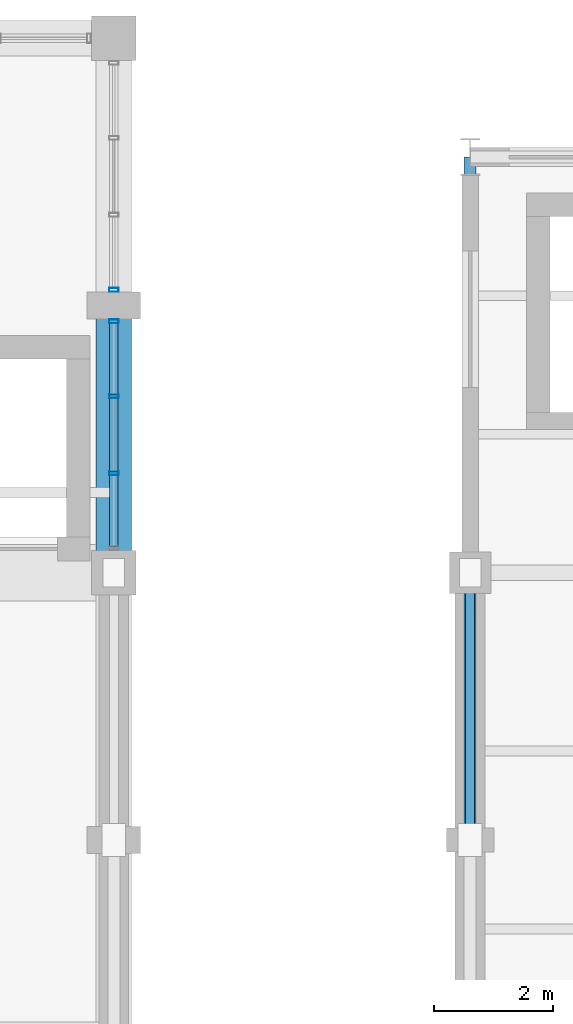
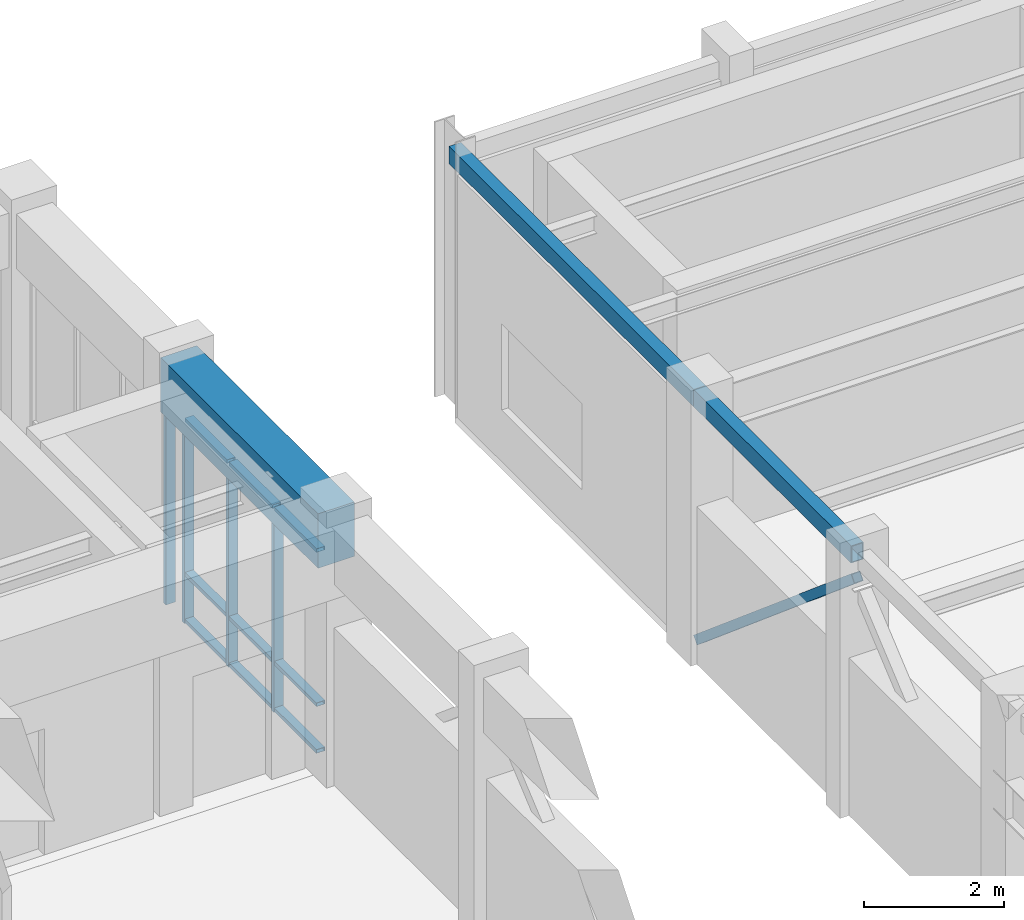
# One storey, part 60 of 99: 14 members, 3 beams, 2 elements without a shape of their own.
"""IFC4 building model written with IfcOpenShell, lengths in metres."""

from ifc_helpers import new_model, si_unit, direction, frame, origin, origin_2d, place, context, subcontext, project, spatial, rectangle, hollow_rectangle, extrude, material, layer, layer_set, material_profile, profile_set, type_object, element, aggregate, save


model = new_model("IFC4")

# Units and contexts
model_context = context("Model", 3, precision=1e-05, world=origin(), true_north=direction((0.0, 1.0)))
body_context = subcontext(model_context, "Body", "Model", "MODEL_VIEW")
ifc_project = project(units=[si_unit("LENGTHUNIT", "METRE"), si_unit("AREAUNIT", "SQUARE_METRE"), si_unit("VOLUMEUNIT", "CUBIC_METRE"), si_unit("PLANEANGLEUNIT", "RADIAN"), si_unit("MASSUNIT", "GRAM", prefix="KILO")], contexts=[model_context])

# Site, building, storey
site_placement = place(None, origin())
site = spatial("IfcSite", under=ifc_project, at=site_placement, CompositionType="ELEMENT")
building_placement = place(site_placement, origin())
building = spatial("IfcBuilding", under=site, at=building_placement, Name="Ventoquebrada Cableway Terminal", CompositionType="ELEMENT")
storey_placement = place(building_placement, frame((0.0, 0.0, 9.60009765625)))
storey = spatial("IfcBuildingStorey", under=building, at=storey_placement, Name="L02", CompositionType="ELEMENT", Elevation=9.60009765625)

# Beam
ifc_material_1 = material(Name="Concrete C40/50", Category="concrete")
ifc_material_profile_1 = material_profile(ifc_material_1, rectangle(XDim=0.60009765625, YDim=0.949951171875, at=origin_2d()), Name="RC-BM-600X950")
ifc_profile_set_1 = profile_set([ifc_material_profile_1], Name="Concrete C40/50")
beam_type_1 = type_object("IfcBeamType", Name="BM-RC05", PredefinedType="BEAM", material=ifc_profile_set_1)
beam_1_placement = place(storey_placement, frame((123.0, 95.0, 4.054931640625), z_axis=(0.0, 1.0, 0.0), x_axis=(-1.0, 0.0, 0.0)))
element("IfcBeam", 1, at=beam_1_placement, inside=storey, type_object=beam_type_1, Name="Perimeter spandrel beam FBM-0699", PredefinedType="BEAM", context=body_context, shape_type="SweptSolid", body=[
    extrude(rectangle(XDim=0.60009765625, YDim=0.949951171875, at=origin_2d()), origin(), (0.0, 0.0, 1.0), 4.5),
])

# Member
ifc_material_2 = material(Name="Steel ASTM A500 Grade C", Category="steel")
ifc_material_profile_2 = material_profile(ifc_material_2, hollow_rectangle(XDim=0.14990234375, YDim=0.14990234375, WallThickness=0.008056640625, at=origin_2d()), Name="HSS150X150X8")
ifc_profile_set_2 = profile_set([ifc_material_profile_2], Name="Steel ASTM A500 Grade C")
member_type_1 = type_object("IfcMemberType", Name="BRC-FR02", PredefinedType="BRACE", material=ifc_profile_set_2)
member_1_placement = place(storey_placement, frame((129.0, 95.0, 0.14990234375), z_axis=(0.0, -0.764025829276, 0.645185657155), x_axis=(1.0, 0.0, 0.0)))
element("IfcMember", 2, at=member_1_placement, inside=storey, type_object=member_type_1, Name="Concentric lateral chevron brace BR-0532", PredefinedType="BRACE", context=body_context, shape_type="SweptSolid", body=[
    extrude(hollow_rectangle(XDim=0.14990234375, YDim=0.14990234375, WallThickness=0.008056640625, at=origin_2d()), origin(), (0.0, 0.0, 1.0), 5.889892578125),
])

# Curtain wall, members
ifc_material_3 = material(Name="Anodized thermally-broken aluminium", Category="aluminium")
ifc_layer = layer(ifc_material_3, 0.159912109375)
ifc_layer_set = layer_set([ifc_layer], Name="Anodized thermally-broken aluminium")
curtain_wall_type = type_object("IfcCurtainWallType", Name="CW-T28", PredefinedType="USERDEFINED", material=ifc_layer_set)
curtain_wall_1_placement = place(storey_placement, origin())
curtain_wall_1 = element("IfcCurtainWall", 3, at=curtain_wall_1_placement, inside=storey, type_object=curtain_wall_type, Name="Unitised glazed curtain wall CW-067", ObjectType="UNITISED CURTAIN WALL", PredefinedType="USERDEFINED")
ifc_material_profile_3 = material_profile(ifc_material_3, hollow_rectangle(XDim=0.06494140625, YDim=0.159912109375, WallThickness=0.00390625, at=origin_2d()), Name="CW-MUL-65X160")
ifc_profile_set_3 = profile_set([ifc_material_profile_3], Name="Anodized thermally-broken aluminium")
member_type_2 = type_object("IfcMemberType", Name="CWM-01", PredefinedType="MULLION", material=ifc_profile_set_3)
member_2_placement = place(storey_placement, frame((123.0, 96.677001953125, -0.008056640625), z_axis=(0.0, 0.0, 1.0), x_axis=(0.0, 1.0, 0.0)))
member_2 = element("IfcMember", 4, at=member_2_placement, type_object=member_type_2, Name="Curtain wall mullion FML-0313", PredefinedType="MULLION", context=body_context, shape_type="SweptSolid", body=[
    extrude(hollow_rectangle(XDim=0.06494140625, YDim=0.159912109375, WallThickness=0.00390625, at=origin_2d()), origin(), (0.0, 0.0, 1.0), 3.587890625),
])
member_3_placement = place(storey_placement, frame((123.0, 97.972900390625, -0.008056640625), z_axis=(0.0, 0.0, 1.0), x_axis=(0.0, 1.0, 0.0)))
member_3 = element("IfcMember", 5, at=member_3_placement, type_object=member_type_2, Name="Curtain wall mullion FML-0314", PredefinedType="MULLION", context=body_context, shape_type="SweptSolid", body=[
    extrude(hollow_rectangle(XDim=0.06494140625, YDim=0.159912109375, WallThickness=0.00390625, at=origin_2d()), origin(), (0.0, 0.0, 1.0), 3.587890625),
])
member_4_placement = place(storey_placement, frame((123.0, 99.235107421875, -0.008056640625), z_axis=(0.0, 0.0, 1.0), x_axis=(0.0, 1.0, 0.0)))
member_4 = element("IfcMember", 6, at=member_4_placement, type_object=member_type_2, Name="Curtain wall mullion FML-0315", PredefinedType="MULLION", context=body_context, shape_type="SweptSolid", body=[
    extrude(hollow_rectangle(XDim=0.06494140625, YDim=0.159912109375, WallThickness=0.00390625, at=origin_2d()), origin(), (0.0, 0.0, 1.0), 3.587890625),
])

# Curtain wall, member
curtain_wall_2_placement = place(storey_placement, origin())
curtain_wall_2 = element("IfcCurtainWall", 7, at=curtain_wall_2_placement, inside=storey, type_object=curtain_wall_type, Name="Unitised glazed curtain wall CW-068", ObjectType="UNITISED CURTAIN WALL", PredefinedType="USERDEFINED")
member_5_placement = place(storey_placement, frame((123.0, 99.764892578125, -0.008056640625), z_axis=(0.0, 0.0, 1.0), x_axis=(0.0, 1.0, 0.0)))
member_5 = element("IfcMember", 8, at=member_5_placement, type_object=member_type_2, Name="Curtain wall mullion FML-0316", PredefinedType="MULLION", context=body_context, shape_type="SweptSolid", body=[
    extrude(hollow_rectangle(XDim=0.06494140625, YDim=0.159912109375, WallThickness=0.00390625, at=origin_2d()), origin(), (0.0, 0.0, 1.0), 3.587890625),
])
aggregate(curtain_wall_2, [member_5])

# Member
ifc_material_profile_4 = material_profile(ifc_material_3, hollow_rectangle(XDim=0.06494140625, YDim=0.139892578125, WallThickness=0.00390625, at=origin_2d()), Name="CW-TRN-65X140")
ifc_profile_set_4 = profile_set([ifc_material_profile_4], Name="Anodized thermally-broken aluminium")
member_type_3 = type_object("IfcMemberType", Name="CWT-01", PredefinedType="USERDEFINED", material=ifc_profile_set_4)
member_6_placement = place(storey_placement, frame((123.0, 95.44189453125, 0.034912109375), z_axis=(0.0, 1.0, 0.0), x_axis=(0.0, 0.0, 1.0)))
member_6 = element("IfcMember", 9, at=member_6_placement, type_object=member_type_3, Name="Curtain wall transom FTR-0910", ObjectType="TRANSOM", PredefinedType="USERDEFINED", context=body_context, shape_type="SweptSolid", body=[
    extrude(hollow_rectangle(XDim=0.06494140625, YDim=0.139892578125, WallThickness=0.00390625, at=origin_2d()), origin(), (0.0, 0.0, 1.0), 1.20703125),
])

member_7_placement = place(storey_placement, frame((123.0, 95.44189453125, 0.849853515625), z_axis=(0.0, 1.0, 0.0), x_axis=(0.0, 0.0, 1.0)))
member_7 = element("IfcMember", 10, at=member_7_placement, type_object=member_type_3, Name="Curtain wall transom FTR-0911", ObjectType="TRANSOM", PredefinedType="USERDEFINED", context=body_context, shape_type="SweptSolid", body=[
    extrude(hollow_rectangle(XDim=0.06494140625, YDim=0.139892578125, WallThickness=0.00390625, at=origin_2d()), origin(), (0.0, 0.0, 1.0), 1.20703125),
])

member_8_placement = place(storey_placement, frame((123.0, 95.44189453125, 3.539794921875), z_axis=(0.0, 1.0, 0.0), x_axis=(0.0, 0.0, 1.0)))
member_8 = element("IfcMember", 11, at=member_8_placement, type_object=member_type_3, Name="Curtain wall transom FTR-0912", ObjectType="TRANSOM", PredefinedType="USERDEFINED", context=body_context, shape_type="SweptSolid", body=[
    extrude(hollow_rectangle(XDim=0.06494140625, YDim=0.139892578125, WallThickness=0.00390625, at=origin_2d()), origin(), (0.0, 0.0, 1.0), 1.20703125),
])

member_9_placement = place(storey_placement, frame((123.0, 96.7041015625, 0.034912109375), z_axis=(0.0, 1.0, 0.0), x_axis=(0.0, 0.0, 1.0)))
member_9 = element("IfcMember", 12, at=member_9_placement, type_object=member_type_3, Name="Curtain wall transom FTR-0913", ObjectType="TRANSOM", PredefinedType="USERDEFINED", context=body_context, shape_type="SweptSolid", body=[
    extrude(hollow_rectangle(XDim=0.06494140625, YDim=0.139892578125, WallThickness=0.00390625, at=origin_2d()), origin(), (0.0, 0.0, 1.0), 1.241943359375),
])

member_10_placement = place(storey_placement, frame((123.0, 96.7041015625, 0.849853515625), z_axis=(0.0, 1.0, 0.0), x_axis=(0.0, 0.0, 1.0)))
member_10 = element("IfcMember", 13, at=member_10_placement, type_object=member_type_3, Name="Curtain wall transom FTR-0914", ObjectType="TRANSOM", PredefinedType="USERDEFINED", context=body_context, shape_type="SweptSolid", body=[
    extrude(hollow_rectangle(XDim=0.06494140625, YDim=0.139892578125, WallThickness=0.00390625, at=origin_2d()), origin(), (0.0, 0.0, 1.0), 1.241943359375),
])

member_11_placement = place(storey_placement, frame((123.0, 96.7041015625, 3.539794921875), z_axis=(0.0, 1.0, 0.0), x_axis=(0.0, 0.0, 1.0)))
member_11 = element("IfcMember", 14, at=member_11_placement, type_object=member_type_3, Name="Curtain wall transom FTR-0915", ObjectType="TRANSOM", PredefinedType="USERDEFINED", context=body_context, shape_type="SweptSolid", body=[
    extrude(hollow_rectangle(XDim=0.06494140625, YDim=0.139892578125, WallThickness=0.00390625, at=origin_2d()), origin(), (0.0, 0.0, 1.0), 1.241943359375),
])

member_12_placement = place(storey_placement, frame((123.0, 98.0009765625, 0.034912109375), z_axis=(0.0, 1.0, 0.0), x_axis=(0.0, 0.0, 1.0)))
member_12 = element("IfcMember", 15, at=member_12_placement, type_object=member_type_3, Name="Curtain wall transom FTR-0916", ObjectType="TRANSOM", PredefinedType="USERDEFINED", context=body_context, shape_type="SweptSolid", body=[
    extrude(hollow_rectangle(XDim=0.06494140625, YDim=0.139892578125, WallThickness=0.00390625, at=origin_2d()), origin(), (0.0, 0.0, 1.0), 1.2060546875),
])

member_13_placement = place(storey_placement, frame((123.0, 98.0009765625, 0.849853515625), z_axis=(0.0, 1.0, 0.0), x_axis=(0.0, 0.0, 1.0)))
member_13 = element("IfcMember", 16, at=member_13_placement, type_object=member_type_3, Name="Curtain wall transom FTR-0917", ObjectType="TRANSOM", PredefinedType="USERDEFINED", context=body_context, shape_type="SweptSolid", body=[
    extrude(hollow_rectangle(XDim=0.06494140625, YDim=0.139892578125, WallThickness=0.00390625, at=origin_2d()), origin(), (0.0, 0.0, 1.0), 1.2060546875),
])

member_14_placement = place(storey_placement, frame((123.0, 98.0009765625, 3.539794921875), z_axis=(0.0, 1.0, 0.0), x_axis=(0.0, 0.0, 1.0)))
member_14 = element("IfcMember", 17, at=member_14_placement, type_object=member_type_3, Name="Curtain wall transom FTR-0918", ObjectType="TRANSOM", PredefinedType="USERDEFINED", context=body_context, shape_type="SweptSolid", body=[
    extrude(hollow_rectangle(XDim=0.06494140625, YDim=0.139892578125, WallThickness=0.00390625, at=origin_2d()), origin(), (0.0, 0.0, 1.0), 1.2060546875),
])

aggregate(curtain_wall_1, [member_2, member_3, member_4, member_6, member_7, member_8, member_9, member_10, member_11, member_12, member_13, member_14])

# Beams
ifc_material_profile_5 = material_profile(ifc_material_2, hollow_rectangle(XDim=0.199951171875, YDim=0.300048828125, WallThickness=0.012451171875, at=origin_2d()), Name="RHS300X200X12.5")
ifc_profile_set_5 = profile_set([ifc_material_profile_5], Name="Steel ASTM A500 Grade C")
beam_type_2 = type_object("IfcBeamType", Name="SP-ST02", PredefinedType="SPANDREL", material=ifc_profile_set_5)
beam_2_placement = place(storey_placement, frame((129.0, 90.5, 4.3798828125), z_axis=(0.0, 1.0, 0.0), x_axis=(-1.0, 0.0, 0.0)))
element("IfcBeam", 18, at=beam_2_placement, inside=storey, type_object=beam_type_2, Name="Perimeter spandrel beam FBM-0874", PredefinedType="SPANDREL", context=body_context, shape_type="SweptSolid", body=[
    extrude(hollow_rectangle(XDim=0.199951171875, YDim=0.300048828125, WallThickness=0.012451171875, at=origin_2d()), origin(), (0.0, 0.0, 1.0), 4.5),
])
beam_3_placement = place(storey_placement, frame((129.0, 95.0, 4.3798828125), z_axis=(0.0, 1.0, 0.0), x_axis=(-1.0, 0.0, 0.0)))
element("IfcBeam", 19, at=beam_3_placement, inside=storey, type_object=beam_type_2, Name="Perimeter spandrel beam FBM-0875", PredefinedType="SPANDREL", context=body_context, shape_type="SweptSolid", body=[
    extrude(hollow_rectangle(XDim=0.199951171875, YDim=0.300048828125, WallThickness=0.012451171875, at=origin_2d()), origin(), (0.0, 0.0, 1.0), 7.0),
])

save(model, "model.ifc")
